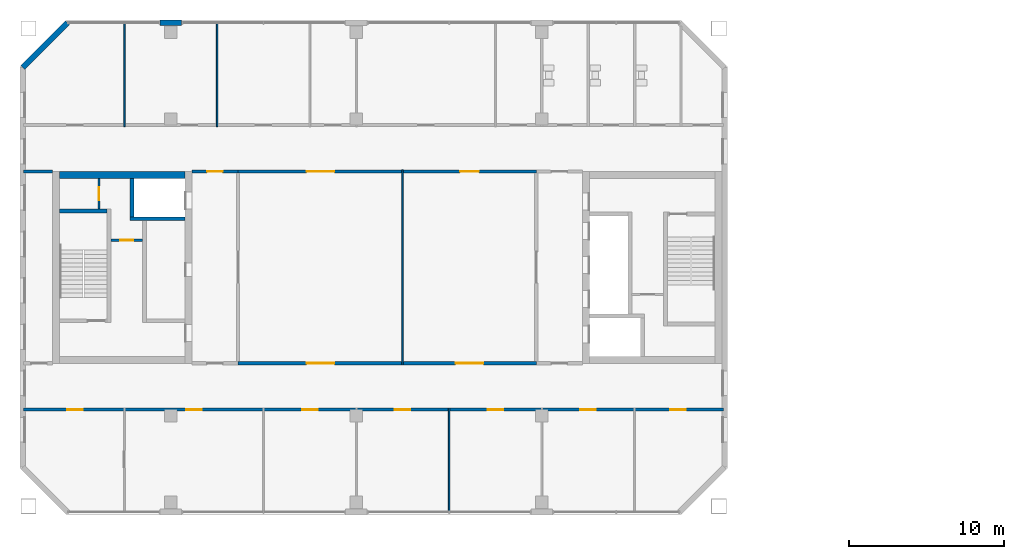
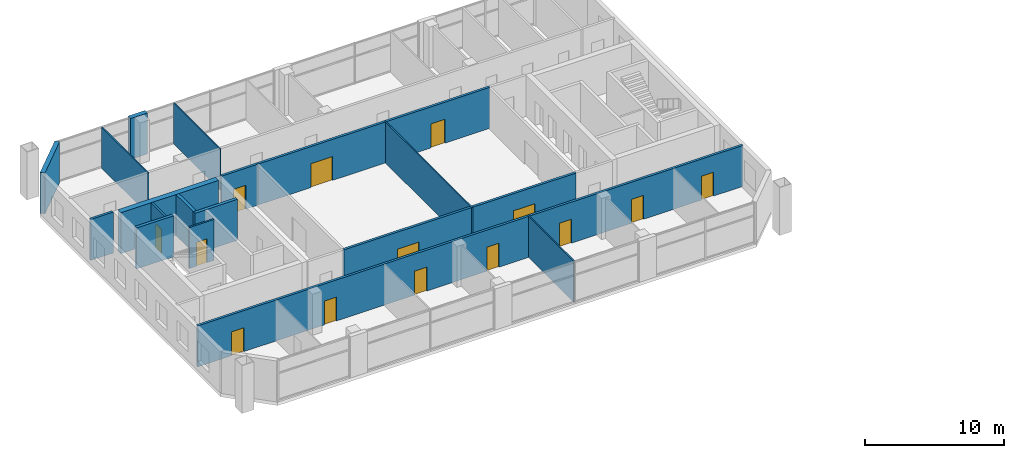
# One storey, part 11 of 19: 17 walls, 14 doors, 14 openings.
"""IFC4 building model written with IfcOpenShell, lengths in metres."""

from ifc_helpers import new_model, si_unit, direction, frame, frame_2d, origin, place, context, subcontext, project, spatial, rectangle, extrude, material, layer, layer_set, type_object, element, fill, save


model = new_model("IFC4")

# Units and contexts
model_context = context("Model", 3, precision=1e-05, world=origin(), true_north=direction((0.0, 1.0)))
body_context = subcontext(model_context, "Body", "Model", "MODEL_VIEW")
ifc_project = project(units=[si_unit("LENGTHUNIT", "METRE"), si_unit("AREAUNIT", "SQUARE_METRE"), si_unit("VOLUMEUNIT", "CUBIC_METRE"), si_unit("PLANEANGLEUNIT", "RADIAN"), si_unit("MASSUNIT", "GRAM", prefix="KILO")], contexts=[model_context])

# Site, building, storey
site_placement = place(None, origin())
site = spatial("IfcSite", under=ifc_project, at=site_placement, CompositionType="ELEMENT")
building_placement = place(site_placement, origin())
building = spatial("IfcBuilding", under=site, at=building_placement, Name="Tuart Gate Housing", CompositionType="ELEMENT")
storey_placement = place(building_placement, frame((0.0, 0.0, 171.60009765625)))
storey = spatial("IfcBuildingStorey", under=building, at=storey_placement, Name="L48", CompositionType="ELEMENT", Elevation=171.60009765625)

# Walls
ifc_material_1 = material(Name="Brick", Category="masonry")
ifc_layer_1 = layer(ifc_material_1, 0.360107421875)
ifc_layer_set_1 = layer_set([ifc_layer_1], Name="Brick pier and spandrel wall 360")
wall_type_1 = type_object("IfcWallType", Name="Brick pier and spandrel wall 360", PredefinedType="STANDARD", material=ifc_layer_set_1)
wall_1_placement = place(storey_placement, frame((40.699951171875, 85.820068359375, 0.0), z_axis=(0.0, 0.0, 1.0), x_axis=(-1.0, 0.0, 0.0)))
element("IfcWall", 1, at=wall_1_placement, inside=storey, type_object=wall_type_1, Name="External wall A-N L48", PredefinedType="STANDARD", context=body_context, shape_type="SweptSolid", body=[
    extrude(rectangle(XDim=1.39990234375, YDim=0.360107421875, at=frame_2d((0.699951171875, 0.0))), origin(), (0.0, 0.0, 1.0), 3.599853515625),
])
wall_2_placement = place(storey_placement, frame((33.32470703125, 85.820068359375, 0.0), z_axis=(0.0, 0.0, 1.0), x_axis=(-0.707106781187, -0.707106781187, 0.0)))
element("IfcWall", 2, at=wall_2_placement, inside=storey, type_object=wall_type_1, Name="External wall A-NW L48", PredefinedType="STANDARD", context=body_context, shape_type="SweptSolid", body=[
    extrude(rectangle(XDim=4.09375, YDim=0.360107421875, at=frame_2d((2.046875, 0.0))), origin(), (0.0, 0.0, 1.0), 3.599853515625),
])

# Wall, opening, door
ifc_material_2 = material(Name="Plasterboard partition")
ifc_layer_2 = layer(ifc_material_2, 0.14990234375)
ifc_layer_set_2 = layer_set([ifc_layer_2], Name="Core partition 150")
wall_type_2 = type_object("IfcWallType", Name="Core partition 150", PredefinedType="PARTITIONING", material=ifc_layer_set_2)
wall_3_placement = place(storey_placement, frame((38.18505859375, 71.75, 0.0), z_axis=(0.0, 0.0, 1.0), x_axis=(-1.0, 0.0, 0.0)))
wall_3 = element("IfcWall", 3, at=wall_3_placement, inside=storey, type_object=wall_type_2, Name="Core partition AK.3", PredefinedType="PARTITIONING", context=body_context, shape_type="SweptSolid", body=[
    extrude(rectangle(XDim=2.050048828125, YDim=0.14990234375, at=frame_2d((1.02490234375, 0.0))), origin(), (0.0, 0.0, 1.0), 3.599853515625),
])
opening_1_placement = place(wall_3_placement, frame((0.60009765625, 0.0, 0.0)))
opening_1 = element("IfcOpeningElement", 4, at=opening_1_placement, cuts=wall_3, Name="Opening D223", PredefinedType="OPENING", context=body_context, shape_type="SweptSolid", body=[
    extrude(rectangle(XDim=0.85009765625, YDim=2.10009765625, at=frame_2d((0.425048828125, 1.050048828125))), frame((0.0, 0.0849609375, 0.0), z_axis=(0.0, -1.0, 0.0), x_axis=(1.0, 0.0, 0.0)), (0.0, 0.0, 1.0), 0.169921875),
])
ifc_material_3 = material(Name="Steel fire door", Category="steel")
door_type_1 = type_object("IfcDoorType", Name="Riser door 850 x 2100 RH", OperationType="SINGLE_SWING_RIGHT", PredefinedType="DOOR", material=ifc_material_3)
door_1_placement = place(opening_1_placement, frame((0.85009765625, 0.0, 0.0), z_axis=(0.0, 0.0, 1.0), x_axis=(-1.0, 0.0, 0.0)))
door_1 = element("IfcDoor", 5, at=door_1_placement, inside=storey, type_object=door_type_1, Name="Service room door AK.E1", OperationType="SINGLE_SWING_RIGHT", OverallHeight=2.10009765625, OverallWidth=0.85009765625, PredefinedType="DOOR", context=body_context, shape_type="SweptSolid", body=[
    extrude(rectangle(XDim=0.85009765625, YDim=2.10009765625, at=frame_2d((0.425048828125, 1.050048828125))), frame((0.0, 0.025146484375, 0.0), z_axis=(0.0, -1.0, 0.0), x_axis=(1.0, 0.0, 0.0)), (0.0, 0.0, 1.0), 0.050048828125),
])
fill(opening_1, door_1)

wall_4_placement = place(storey_placement, frame((35.360107421875, 75.75, 0.0), z_axis=(0.0, 0.0, 1.0), x_axis=(0.0, -1.0, 0.0)))
wall_4 = element("IfcWall", 6, at=wall_4_placement, inside=storey, type_object=wall_type_2, Name="Core partition AK.9", PredefinedType="PARTITIONING", context=body_context, shape_type="SweptSolid", body=[
    extrude(rectangle(XDim=1.97509765625, YDim=0.14990234375, at=frame_2d((0.987548828125, 0.0))), origin(), (0.0, 0.0, 1.0), 3.599853515625),
])
opening_2_placement = place(wall_4_placement, frame((0.5625, 0.0, 0.0)))
opening_2 = element("IfcOpeningElement", 7, at=opening_2_placement, cuts=wall_4, Name="Opening D221", PredefinedType="OPENING", context=body_context, shape_type="SweptSolid", body=[
    extrude(rectangle(XDim=0.85009765625, YDim=2.10009765625, at=frame_2d((0.425048828125, 1.050048828125))), frame((0.0, 0.0849609375, 0.0), z_axis=(0.0, -1.0, 0.0), x_axis=(1.0, 0.0, 0.0)), (0.0, 0.0, 1.0), 0.169921875),
])
ifc_material_4 = material(Name="Steel fire door", Category="steel")
door_type_2 = type_object("IfcDoorType", Name="Service door 850 x 2100", OperationType="SINGLE_SWING_LEFT", PredefinedType="DOOR", material=ifc_material_4)
door_2_placement = place(opening_2_placement, origin())
door_2 = element("IfcDoor", 8, at=door_2_placement, inside=storey, type_object=door_type_2, Name="Service room door AK.E2", OperationType="SINGLE_SWING_LEFT", OverallHeight=2.10009765625, OverallWidth=0.85009765625, PredefinedType="DOOR", context=body_context, shape_type="SweptSolid", body=[
    extrude(rectangle(XDim=0.85009765625, YDim=2.10009765625, at=frame_2d((0.425048828125, 1.050048828125))), frame((0.0, 0.02490234375, 0.0), z_axis=(0.0, -1.0, 0.0), x_axis=(1.0, 0.0, 0.0)), (0.0, 0.0, 1.0), 0.050048828125),
])
fill(opening_2, door_2)

# Walls
ifc_material_5 = material(Name="Concrete C40", Category="concrete")
ifc_layer_3 = layer(ifc_material_5, 0.25)
ifc_layer_set_3 = layer_set([ifc_layer_3], Name="Core wall 250 C40")
wall_type_3 = type_object("IfcWallType", Name="Core wall 250 C40", PredefinedType="SHEAR", material=ifc_layer_set_3)
wall_5_placement = place(storey_placement, frame((35.885009765625, 73.64990234375, 0.0), z_axis=(0.0, 0.0, 1.0), x_axis=(-1.0, 0.0, 0.0)))
element("IfcWall", 9, at=wall_5_placement, inside=storey, type_object=wall_type_3, Name="Core wall AK.1", PredefinedType="SHEAR", context=body_context, shape_type="SweptSolid", body=[
    extrude(rectangle(XDim=3.074951171875, YDim=0.25, at=frame_2d((1.53759765625, 0.0))), origin(), (0.0, 0.0, 1.0), 3.599853515625),
])
wall_6_placement = place(storey_placement, frame((40.909912109375, 73.14990234375, 0.0), z_axis=(0.0, 0.0, 1.0), x_axis=(-1.0, 0.0, 0.0)))
element("IfcWall", 10, at=wall_6_placement, inside=storey, type_object=wall_type_3, Name="Core wall AK.2", PredefinedType="SHEAR", context=body_context, shape_type="SweptSolid", body=[
    extrude(rectangle(XDim=3.544921875, YDim=0.25, at=frame_2d((1.7724609375, 0.0))), origin(), (0.0, 0.0, 1.0), 3.599853515625),
])
wall_7_placement = place(storey_placement, frame((37.489990234375, 75.75, 0.0), z_axis=(0.0, 0.0, 1.0), x_axis=(0.0, -1.0, 0.0)))
element("IfcWall", 11, at=wall_7_placement, inside=storey, type_object=wall_type_3, Name="Core wall AK.7", PredefinedType="SHEAR", context=body_context, shape_type="SweptSolid", body=[
    extrude(rectangle(XDim=2.47509765625, YDim=0.25, at=frame_2d((1.237548828125, 0.0))), origin(), (0.0, 0.0, 1.0), 3.599853515625),
])
ifc_material_6 = material(Name="Concrete C40", Category="concrete")
ifc_layer_4 = layer(ifc_material_6, 0.449951171875)
ifc_layer_set_4 = layer_set([ifc_layer_4], Name="Core wall 450 C40")
wall_type_4 = type_object("IfcWallType", Name="Core wall 450 C40", PredefinedType="SHEAR", material=ifc_layer_set_4)
wall_8_placement = place(storey_placement, frame((40.909912109375, 75.97509765625, 0.0), z_axis=(0.0, 0.0, 1.0), x_axis=(-1.0, 0.0, 0.0)))
element("IfcWall", 12, at=wall_8_placement, inside=storey, type_object=wall_type_4, Name="Core wall AK south", PredefinedType="SHEAR", context=body_context, shape_type="SweptSolid", body=[
    extrude(rectangle(XDim=8.099853515625, YDim=0.449951171875, at=frame_2d((4.0498046875, 0.0))), origin(), (0.0, 0.0, 1.0), 3.599853515625),
])

# Wall, openings, doors
ifc_material_7 = material(Name="Concrete masonry 15 MPa", Category="masonry")
ifc_layer_5 = layer(ifc_material_7, 0.199951171875)
ifc_layer_set_5 = layer_set([ifc_layer_5], Name="Corridor wall masonry 200")
wall_type_5 = type_object("IfcWallType", Name="Corridor wall masonry 200", PredefinedType="PARTITIONING", material=ifc_layer_set_5)
wall_9_placement = place(storey_placement, frame((30.489990234375, 60.800048828125, 0.0), z_axis=(0.0, 0.0, 1.0), x_axis=(1.0, 0.0, 0.0)))
wall_9 = element("IfcWall", 13, at=wall_9_placement, inside=storey, type_object=wall_type_5, Name="Corridor wall masonry 200", PredefinedType="PARTITIONING", context=body_context, shape_type="SweptSolid", body=[
    extrude(rectangle(XDim=45.27001953125, YDim=0.199951171875, at=frame_2d((22.635009765625, 0.0))), origin(), (0.0, 0.0, 1.0), 3.599853515625),
])
opening_3_placement = place(wall_9_placement, frame((2.81494140625, 0.0, 0.0)))
opening_3 = element("IfcOpeningElement", 14, at=opening_3_placement, cuts=wall_9, Name="Opening D236", PredefinedType="OPENING", context=body_context, shape_type="SweptSolid", body=[
    extrude(rectangle(XDim=1.0, YDim=2.10009765625, at=frame_2d((0.5, 1.050048828125))), frame((0.0, 0.10986328125, 0.0), z_axis=(0.0, -1.0, 0.0), x_axis=(1.0, 0.0, 0.0)), (0.0, 0.0, 1.0), 0.219970703125),
])
opening_4_placement = place(wall_9_placement, frame((10.510009765625, 0.0, 0.0)))
opening_4 = element("IfcOpeningElement", 15, at=opening_4_placement, cuts=wall_9, Name="Opening D237", PredefinedType="OPENING", context=body_context, shape_type="SweptSolid", body=[
    extrude(rectangle(XDim=1.0, YDim=2.10009765625, at=frame_2d((0.5, 1.050048828125))), frame((0.0, 0.10986328125, 0.0), z_axis=(0.0, -1.0, 0.0), x_axis=(1.0, 0.0, 0.0)), (0.0, 0.0, 1.0), 0.219970703125),
])
opening_5_placement = place(wall_9_placement, frame((18.010009765625, 0.0, 0.0)))
opening_5 = element("IfcOpeningElement", 16, at=opening_5_placement, cuts=wall_9, Name="Opening D238", PredefinedType="OPENING", context=body_context, shape_type="SweptSolid", body=[
    extrude(rectangle(XDim=1.0, YDim=2.10009765625, at=frame_2d((0.5, 1.050048828125))), frame((0.0, 0.10986328125, 0.0), z_axis=(0.0, -1.0, 0.0), x_axis=(1.0, 0.0, 0.0)), (0.0, 0.0, 1.0), 0.219970703125),
])
opening_6_placement = place(wall_9_placement, frame((24.010009765625, 0.0, 0.0)))
opening_6 = element("IfcOpeningElement", 17, at=opening_6_placement, cuts=wall_9, Name="Opening D239", PredefinedType="OPENING", context=body_context, shape_type="SweptSolid", body=[
    extrude(rectangle(XDim=1.0, YDim=2.10009765625, at=frame_2d((0.5, 1.050048828125))), frame((0.0, 0.10986328125, 0.0), z_axis=(0.0, -1.0, 0.0), x_axis=(1.0, 0.0, 0.0)), (0.0, 0.0, 1.0), 0.219970703125),
])
opening_7_placement = place(wall_9_placement, frame((30.010009765625, 0.0, 0.0)))
opening_7 = element("IfcOpeningElement", 18, at=opening_7_placement, cuts=wall_9, Name="Opening D240", PredefinedType="OPENING", context=body_context, shape_type="SweptSolid", body=[
    extrude(rectangle(XDim=1.0, YDim=2.10009765625, at=frame_2d((0.5, 1.050048828125))), frame((0.0, 0.10986328125, 0.0), z_axis=(0.0, -1.0, 0.0), x_axis=(1.0, 0.0, 0.0)), (0.0, 0.0, 1.0), 0.219970703125),
])
opening_8_placement = place(wall_9_placement, frame((36.010009765625, 0.0, 0.0)))
opening_8 = element("IfcOpeningElement", 19, at=opening_8_placement, cuts=wall_9, Name="Opening D241", PredefinedType="OPENING", context=body_context, shape_type="SweptSolid", body=[
    extrude(rectangle(XDim=1.0, YDim=2.10009765625, at=frame_2d((0.5, 1.050048828125))), frame((0.0, 0.10986328125, 0.0), z_axis=(0.0, -1.0, 0.0), x_axis=(1.0, 0.0, 0.0)), (0.0, 0.0, 1.0), 0.219970703125),
])
opening_9_placement = place(wall_9_placement, frame((41.830078125, 0.0, 0.0)))
opening_9 = element("IfcOpeningElement", 20, at=opening_9_placement, cuts=wall_9, Name="Opening D242", PredefinedType="OPENING", context=body_context, shape_type="SweptSolid", body=[
    extrude(rectangle(XDim=1.0, YDim=2.10009765625, at=frame_2d((0.5, 1.050048828125))), frame((0.0, 0.10986328125, 0.0), z_axis=(0.0, -1.0, 0.0), x_axis=(1.0, 0.0, 0.0)), (0.0, 0.0, 1.0), 0.219970703125),
])
ifc_material_8 = material(Name="Timber door leaf in steel frame", Category="steel")
door_type_3 = type_object("IfcDoorType", Name="Fire door 1000 RH", OperationType="SINGLE_SWING_RIGHT", PredefinedType="DOOR", material=ifc_material_8)
door_3_placement = place(opening_3_placement, frame((1.0, 0.0, 0.0), z_axis=(0.0, 0.0, 1.0), x_axis=(-1.0, 0.0, 0.0)))
door_3 = element("IfcDoor", 21, at=door_3_placement, inside=storey, type_object=door_type_3, Name="Fire door 1000", OperationType="SINGLE_SWING_RIGHT", OverallHeight=2.10009765625, OverallWidth=1.0, PredefinedType="DOOR", context=body_context, shape_type="SweptSolid", body=[
    extrude(rectangle(XDim=1.0, YDim=2.10009765625, at=frame_2d((0.5, 1.050048828125))), frame((0.0, 0.025146484375, 0.0), z_axis=(0.0, -1.0, 0.0), x_axis=(1.0, 0.0, 0.0)), (0.0, 0.0, 1.0), 0.050048828125),
])
fill(opening_3, door_3)
door_4_placement = place(opening_4_placement, frame((1.0, 0.0, 0.0), z_axis=(0.0, 0.0, 1.0), x_axis=(-1.0, 0.0, 0.0)))
door_4 = element("IfcDoor", 22, at=door_4_placement, inside=storey, type_object=door_type_3, Name="Fire door 1000", OperationType="SINGLE_SWING_RIGHT", OverallHeight=2.10009765625, OverallWidth=1.0, PredefinedType="DOOR", context=body_context, shape_type="SweptSolid", body=[
    extrude(rectangle(XDim=1.0, YDim=2.10009765625, at=frame_2d((0.5, 1.050048828125))), frame((0.0, 0.025146484375, 0.0), z_axis=(0.0, -1.0, 0.0), x_axis=(1.0, 0.0, 0.0)), (0.0, 0.0, 1.0), 0.050048828125),
])
fill(opening_4, door_4)
door_5_placement = place(opening_5_placement, frame((1.0, 0.0, 0.0), z_axis=(0.0, 0.0, 1.0), x_axis=(-1.0, 0.0, 0.0)))
door_5 = element("IfcDoor", 23, at=door_5_placement, inside=storey, type_object=door_type_3, Name="Fire door 1000", OperationType="SINGLE_SWING_RIGHT", OverallHeight=2.10009765625, OverallWidth=1.0, PredefinedType="DOOR", context=body_context, shape_type="SweptSolid", body=[
    extrude(rectangle(XDim=1.0, YDim=2.10009765625, at=frame_2d((0.5, 1.050048828125))), frame((0.0, 0.025146484375, 0.0), z_axis=(0.0, -1.0, 0.0), x_axis=(1.0, 0.0, 0.0)), (0.0, 0.0, 1.0), 0.050048828125),
])
fill(opening_5, door_5)
door_6_placement = place(opening_6_placement, frame((1.0, 0.0, 0.0), z_axis=(0.0, 0.0, 1.0), x_axis=(-1.0, 0.0, 0.0)))
door_6 = element("IfcDoor", 24, at=door_6_placement, inside=storey, type_object=door_type_3, Name="Fire door 1000", OperationType="SINGLE_SWING_RIGHT", OverallHeight=2.10009765625, OverallWidth=1.0, PredefinedType="DOOR", context=body_context, shape_type="SweptSolid", body=[
    extrude(rectangle(XDim=1.0, YDim=2.10009765625, at=frame_2d((0.5, 1.050048828125))), frame((0.0, 0.025146484375, 0.0), z_axis=(0.0, -1.0, 0.0), x_axis=(1.0, 0.0, 0.0)), (0.0, 0.0, 1.0), 0.050048828125),
])
fill(opening_6, door_6)
door_7_placement = place(opening_7_placement, frame((1.0, 0.0, 0.0), z_axis=(0.0, 0.0, 1.0), x_axis=(-1.0, 0.0, 0.0)))
door_7 = element("IfcDoor", 25, at=door_7_placement, inside=storey, type_object=door_type_3, Name="Fire door 1000", OperationType="SINGLE_SWING_RIGHT", OverallHeight=2.10009765625, OverallWidth=1.0, PredefinedType="DOOR", context=body_context, shape_type="SweptSolid", body=[
    extrude(rectangle(XDim=1.0, YDim=2.10009765625, at=frame_2d((0.5, 1.050048828125))), frame((0.0, 0.025146484375, 0.0), z_axis=(0.0, -1.0, 0.0), x_axis=(1.0, 0.0, 0.0)), (0.0, 0.0, 1.0), 0.050048828125),
])
fill(opening_7, door_7)
door_8_placement = place(opening_8_placement, frame((1.0, 0.0, 0.0), z_axis=(0.0, 0.0, 1.0), x_axis=(-1.0, 0.0, 0.0)))
door_8 = element("IfcDoor", 26, at=door_8_placement, inside=storey, type_object=door_type_3, Name="Fire door 1000", OperationType="SINGLE_SWING_RIGHT", OverallHeight=2.10009765625, OverallWidth=1.0, PredefinedType="DOOR", context=body_context, shape_type="SweptSolid", body=[
    extrude(rectangle(XDim=1.0, YDim=2.10009765625, at=frame_2d((0.5, 1.050048828125))), frame((0.0, 0.025146484375, 0.0), z_axis=(0.0, -1.0, 0.0), x_axis=(1.0, 0.0, 0.0)), (0.0, 0.0, 1.0), 0.050048828125),
])
fill(opening_8, door_8)
door_9_placement = place(opening_9_placement, frame((1.0, 0.0, 0.0), z_axis=(0.0, 0.0, 1.0), x_axis=(-1.0, 0.0, 0.0)))
door_9 = element("IfcDoor", 27, at=door_9_placement, inside=storey, type_object=door_type_3, Name="Fire door 1000", OperationType="SINGLE_SWING_RIGHT", OverallHeight=2.10009765625, OverallWidth=1.0, PredefinedType="DOOR", context=body_context, shape_type="SweptSolid", body=[
    extrude(rectangle(XDim=1.0, YDim=2.10009765625, at=frame_2d((0.5, 1.050048828125))), frame((0.0, 0.025146484375, 0.0), z_axis=(0.0, -1.0, 0.0), x_axis=(1.0, 0.0, 0.0)), (0.0, 0.0, 1.0), 0.050048828125),
])
fill(opening_9, door_9)

wall_10_placement = place(storey_placement, frame((44.360107421875, 63.800048828125, 0.0), z_axis=(0.0, 0.0, 1.0), x_axis=(1.0, 0.0, 0.0)))
wall_10 = element("IfcWall", 28, at=wall_10_placement, inside=storey, type_object=wall_type_5, Name="Corridor wall masonry 200", PredefinedType="PARTITIONING", context=body_context, shape_type="SweptSolid", body=[
    extrude(rectangle(XDim=19.27978515625, YDim=0.199951171875, at=frame_2d((9.639892578125, 0.0))), origin(), (0.0, 0.0, 1.0), 3.599853515625),
])
opening_10_placement = place(wall_10_placement, frame((4.419921875, 0.0, 0.0)))
opening_10 = element("IfcOpeningElement", 29, at=opening_10_placement, cuts=wall_10, Name="Opening D233", PredefinedType="OPENING", context=body_context, shape_type="SweptSolid", body=[
    extrude(rectangle(XDim=1.800048828125, YDim=2.10009765625, at=frame_2d((0.89990234375, 1.050048828125))), frame((0.0, 0.10986328125, 0.0), z_axis=(0.0, -1.0, 0.0), x_axis=(1.0, 0.0, 0.0)), (0.0, 0.0, 1.0), 0.219970703125),
])
opening_11_placement = place(wall_10_placement, frame((14.06005859375, 0.0, 0.0)))
opening_11 = element("IfcOpeningElement", 30, at=opening_11_placement, cuts=wall_10, Name="Opening D234", PredefinedType="OPENING", context=body_context, shape_type="SweptSolid", body=[
    extrude(rectangle(XDim=1.800048828125, YDim=2.10009765625, at=frame_2d((0.89990234375, 1.050048828125))), frame((0.0, 0.10986328125, 0.0), z_axis=(0.0, -1.0, 0.0), x_axis=(1.0, 0.0, 0.0)), (0.0, 0.0, 1.0), 0.219970703125),
])
ifc_material_9 = material(Name="Timber door leaf in steel frame", Category="steel")
door_type_4 = type_object("IfcDoorType", Name="Double door 1800", OperationType="DOUBLE_DOOR_SINGLE_SWING", PredefinedType="DOOR", material=ifc_material_9)
door_10_placement = place(opening_10_placement, frame((1.800048828125, 0.0, 0.0), z_axis=(0.0, 0.0, 1.0), x_axis=(-1.0, 0.0, 0.0)))
door_10 = element("IfcDoor", 31, at=door_10_placement, inside=storey, type_object=door_type_4, Name="Double door 1800", OperationType="DOUBLE_DOOR_SINGLE_SWING", OverallHeight=2.10009765625, OverallWidth=1.800048828125, PredefinedType="DOOR", context=body_context, shape_type="SweptSolid", body=[
    extrude(rectangle(XDim=1.800048828125, YDim=2.10009765625, at=frame_2d((0.900146484375, 1.050048828125))), frame((0.0, 0.025146484375, 0.0), z_axis=(0.0, -1.0, 0.0), x_axis=(1.0, 0.0, 0.0)), (0.0, 0.0, 1.0), 0.050048828125),
])
fill(opening_10, door_10)
door_11_placement = place(opening_11_placement, origin())
door_11 = element("IfcDoor", 32, at=door_11_placement, inside=storey, type_object=door_type_4, Name="Double door 1800", OperationType="DOUBLE_DOOR_SINGLE_SWING", OverallHeight=2.10009765625, OverallWidth=1.800048828125, PredefinedType="DOOR", context=body_context, shape_type="SweptSolid", body=[
    extrude(rectangle(XDim=1.800048828125, YDim=2.10009765625, at=frame_2d((0.89990234375, 1.050048828125))), frame((0.0, 0.02490234375, 0.0), z_axis=(0.0, -1.0, 0.0), x_axis=(1.0, 0.0, 0.0)), (0.0, 0.0, 1.0), 0.050048828125),
])
fill(opening_11, door_11)

# Wall
wall_11_placement = place(storey_placement, frame((30.489990234375, 76.199951171875, 0.0), z_axis=(0.0, 0.0, 1.0), x_axis=(1.0, 0.0, 0.0)))
element("IfcWall", 33, at=wall_11_placement, inside=storey, type_object=wall_type_5, Name="Corridor wall masonry 200", PredefinedType="PARTITIONING", context=body_context, shape_type="SweptSolid", body=[
    extrude(rectangle(XDim=1.8701171875, YDim=0.199951171875, at=frame_2d((0.93505859375, 0.0))), origin(), (0.0, 0.0, 1.0), 3.599853515625),
])

# Wall, openings, doors
wall_12_placement = place(storey_placement, frame((44.360107421875, 76.199951171875, 0.0), z_axis=(0.0, 0.0, 1.0), x_axis=(1.0, 0.0, 0.0)))
wall_12 = element("IfcWall", 34, at=wall_12_placement, inside=storey, type_object=wall_type_5, Name="Corridor wall masonry 200", PredefinedType="PARTITIONING", context=body_context, shape_type="SweptSolid", body=[
    extrude(rectangle(XDim=19.27978515625, YDim=0.199951171875, at=frame_2d((9.639892578125, 0.0))), origin(), (0.0, 0.0, 1.0), 3.599853515625),
])
opening_12_placement = place(wall_12_placement, frame((4.419921875, 0.0, 0.0)))
opening_12 = element("IfcOpeningElement", 35, at=opening_12_placement, cuts=wall_12, Name="Opening D218", PredefinedType="OPENING", context=body_context, shape_type="SweptSolid", body=[
    extrude(rectangle(XDim=1.800048828125, YDim=2.10009765625, at=frame_2d((0.89990234375, 1.050048828125))), frame((0.0, 0.10986328125, 0.0), z_axis=(0.0, -1.0, 0.0), x_axis=(1.0, 0.0, 0.0)), (0.0, 0.0, 1.0), 0.219970703125),
])
opening_13_placement = place(wall_12_placement, frame((14.360107421875, 0.0, 0.0)))
opening_13 = element("IfcOpeningElement", 36, at=opening_13_placement, cuts=wall_12, Name="Opening D219", PredefinedType="OPENING", context=body_context, shape_type="SweptSolid", body=[
    extrude(rectangle(XDim=1.199951171875, YDim=2.10009765625, at=frame_2d((0.60009765625, 1.050048828125))), frame((0.0, 0.10986328125, 0.0), z_axis=(0.0, -1.0, 0.0), x_axis=(1.0, 0.0, 0.0)), (0.0, 0.0, 1.0), 0.219970703125),
])
door_12_placement = place(opening_12_placement, origin())
door_12 = element("IfcDoor", 37, at=door_12_placement, inside=storey, type_object=door_type_4, Name="Double door 1800", OperationType="DOUBLE_DOOR_SINGLE_SWING", OverallHeight=2.10009765625, OverallWidth=1.800048828125, PredefinedType="DOOR", context=body_context, shape_type="SweptSolid", body=[
    extrude(rectangle(XDim=1.800048828125, YDim=2.10009765625, at=frame_2d((0.89990234375, 1.050048828125))), frame((0.0, 0.02490234375, 0.0), z_axis=(0.0, -1.0, 0.0), x_axis=(1.0, 0.0, 0.0)), (0.0, 0.0, 1.0), 0.050048828125),
])
fill(opening_12, door_12)
ifc_material_10 = material(Name="Timber door leaf in steel frame", Category="steel")
door_type_5 = type_object("IfcDoorType", Name="Fire door 1200 RH", OperationType="SINGLE_SWING_RIGHT", PredefinedType="DOOR", material=ifc_material_10)
door_13_placement = place(opening_13_placement, frame((1.199951171875, 0.0, 0.0), z_axis=(0.0, 0.0, 1.0), x_axis=(-1.0, 0.0, 0.0)))
door_13 = element("IfcDoor", 38, at=door_13_placement, inside=storey, type_object=door_type_5, Name="Fire door 1200", OperationType="SINGLE_SWING_RIGHT", OverallHeight=2.10009765625, OverallWidth=1.199951171875, PredefinedType="DOOR", context=body_context, shape_type="SweptSolid", body=[
    extrude(rectangle(XDim=1.199951171875, YDim=2.10009765625, at=frame_2d((0.599853515625, 1.050048828125))), frame((0.0, 0.025146484375, 0.0), z_axis=(0.0, -1.0, 0.0), x_axis=(1.0, 0.0, 0.0)), (0.0, 0.0, 1.0), 0.050048828125),
])
fill(opening_13, door_13)

# Wall, opening, door
ifc_material_11 = material(Name="Concrete masonry 15 MPa", Category="masonry")
ifc_layer_6 = layer(ifc_material_11, 0.199951171875)
ifc_layer_set_6 = layer_set([ifc_layer_6], Name="Enclosure wall masonry 200")
wall_type_6 = type_object("IfcWallType", Name="Enclosure wall masonry 200", PredefinedType="PARTITIONING", material=ifc_layer_set_6)
wall_13_placement = place(storey_placement, frame((41.360107421875, 76.199951171875, 0.0), z_axis=(0.0, 0.0, 1.0), x_axis=(1.0, 0.0, 0.0)))
wall_13 = element("IfcWall", 39, at=wall_13_placement, inside=storey, type_object=wall_type_6, Name="Enclosure wall masonry 200", PredefinedType="PARTITIONING", context=body_context, shape_type="SweptSolid", body=[
    extrude(rectangle(XDim=3.0, YDim=0.199951171875, at=frame_2d((1.5, 0.0))), origin(), (0.0, 0.0, 1.0), 3.599853515625),
])
opening_14_placement = place(wall_13_placement, frame((1.0, 0.0, 0.0)))
opening_14 = element("IfcOpeningElement", 40, at=opening_14_placement, cuts=wall_13, Name="Opening D217", PredefinedType="OPENING", context=body_context, shape_type="SweptSolid", body=[
    extrude(rectangle(XDim=1.0, YDim=2.10009765625, at=frame_2d((0.5, 1.050048828125))), frame((0.0, 0.10986328125, 0.0), z_axis=(0.0, -1.0, 0.0), x_axis=(1.0, 0.0, 0.0)), (0.0, 0.0, 1.0), 0.219970703125),
])
ifc_material_12 = material(Name="Timber door leaf in steel frame", Category="steel")
door_type_6 = type_object("IfcDoorType", Name="Lobby door 1000", OperationType="SINGLE_SWING_LEFT", PredefinedType="DOOR", material=ifc_material_12)
door_14_placement = place(opening_14_placement, frame((1.0, 0.0, 0.0), z_axis=(0.0, 0.0, 1.0), x_axis=(-1.0, 0.0, 0.0)))
door_14 = element("IfcDoor", 41, at=door_14_placement, inside=storey, type_object=door_type_6, Name="Lobby door 1000", OperationType="SINGLE_SWING_LEFT", OverallHeight=2.10009765625, OverallWidth=1.0, PredefinedType="DOOR", context=body_context, shape_type="SweptSolid", body=[
    extrude(rectangle(XDim=1.0, YDim=2.10009765625, at=frame_2d((0.5, 1.050048828125))), frame((0.0, 0.025146484375, 0.0), z_axis=(0.0, -1.0, 0.0), x_axis=(1.0, 0.0, 0.0)), (0.0, 0.0, 1.0), 0.050048828125),
])
fill(opening_14, door_14)

# Walls
ifc_material_13 = material(Name="Gypsum board on steel studs", Category="steel")
ifc_layer_7 = layer(ifc_material_13, 0.10009765625)
ifc_layer_set_7 = layer_set([ifc_layer_7], Name="Partition 100")
wall_type_7 = type_object("IfcWallType", Name="Partition 100", PredefinedType="PARTITIONING", material=ifc_layer_set_7)
for number, where, z_axis, x_axis, name in (
    (42, (37.0, 79.10009765625, 0.0), (0.0, 0.0, 1.0), (0.0, 1.0, 0.0), "Partition 100"),
    (43, (43.0, 79.10009765625, 0.0), (0.0, 0.0, 1.0), (0.0, 1.0, 0.0), "Partition 100"),
):
    element("IfcWall", number, at=place(storey_placement, frame(where, z_axis=z_axis, x_axis=x_axis)), inside=storey, type_object=wall_type_7, Name=name, PredefinedType="PARTITIONING", context=body_context, shape_type="SweptSolid", body=[
        extrude(rectangle(XDim=6.659912109375, YDim=0.10009765625, at=frame_2d((3.330078125, 0.0))), origin(), (0.0, 0.0, 1.0), 3.599853515625),
    ])
wall_14_placement = place(storey_placement, frame((55.0, 63.699951171875, 0.0), z_axis=(0.0, 0.0, 1.0), x_axis=(0.0, 1.0, 0.0)))
element("IfcWall", 44, at=wall_14_placement, inside=storey, type_object=wall_type_7, Name="Partition 100", PredefinedType="PARTITIONING", context=body_context, shape_type="SweptSolid", body=[
    extrude(rectangle(XDim=12.60009765625, YDim=0.10009765625, at=frame_2d((6.300048828125, 0.0))), origin(), (0.0, 0.0, 1.0), 3.599853515625),
])
wall_15_placement = place(storey_placement, frame((58.0, 54.239990234375, 0.0), z_axis=(0.0, 0.0, 1.0), x_axis=(0.0, 1.0, 0.0)))
element("IfcWall", 45, at=wall_15_placement, inside=storey, type_object=wall_type_7, Name="Partition 100", PredefinedType="PARTITIONING", context=body_context, shape_type="SweptSolid", body=[
    extrude(rectangle(XDim=6.659912109375, YDim=0.10009765625, at=frame_2d((3.330078125, 0.0))), origin(), (0.0, 0.0, 1.0), 3.599853515625),
])

save(model, "model.ifc")
